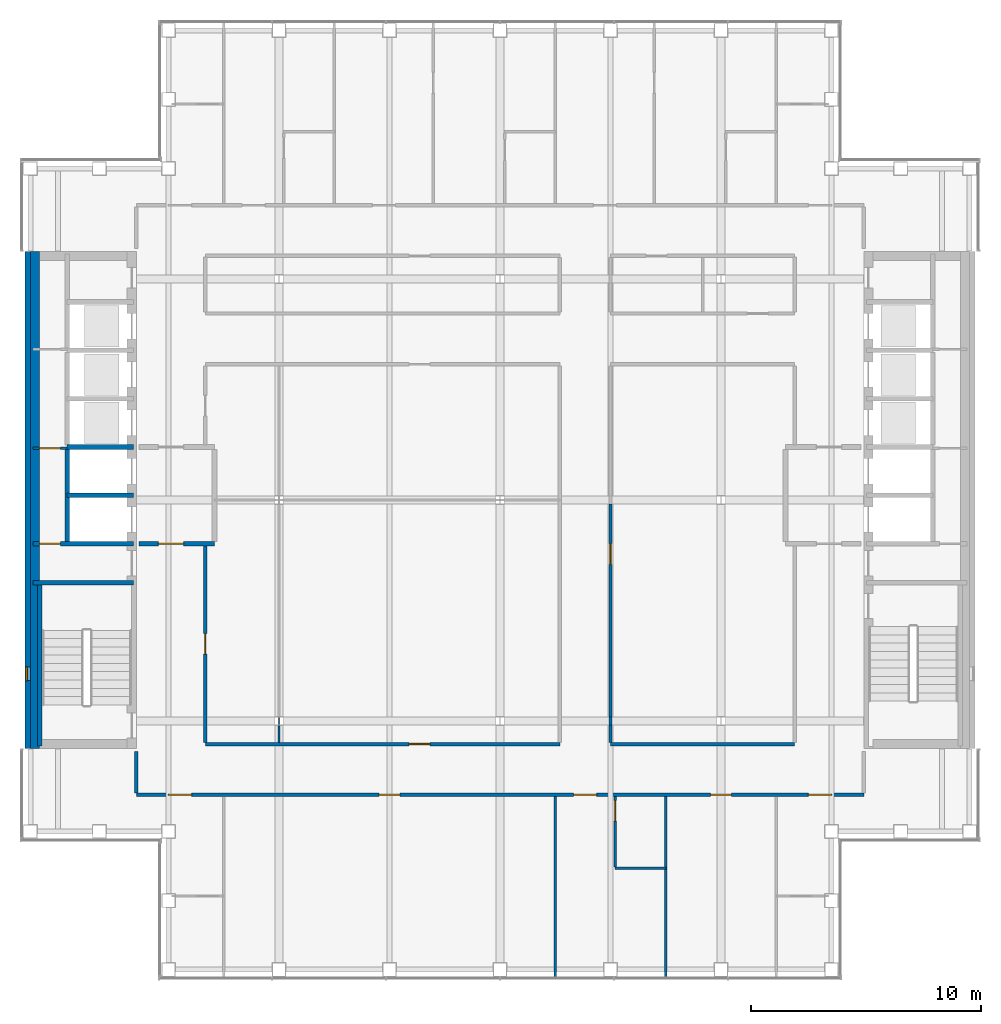
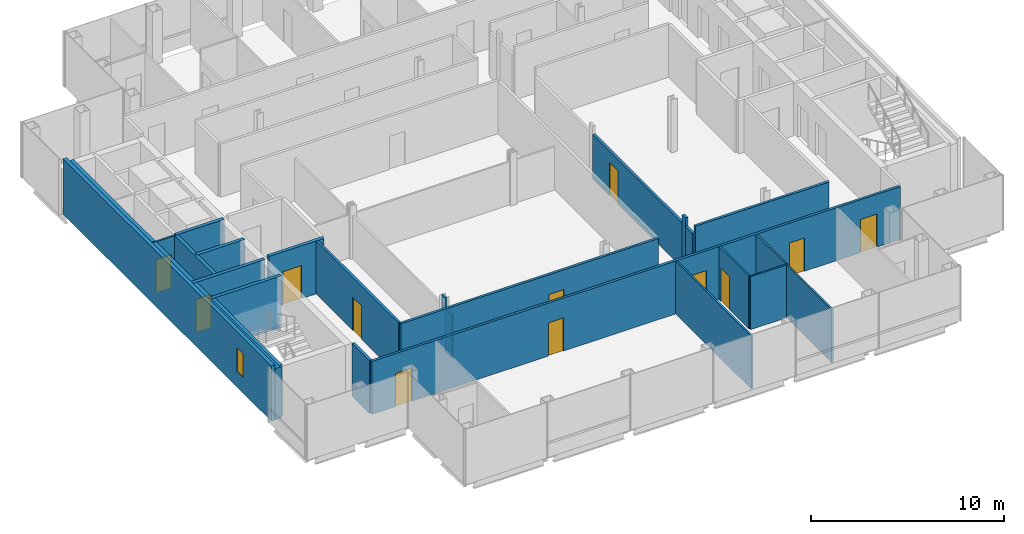
# One storey, part 10 of 15: 24 walls, 12 doors, 1 window, 13 openings.
"""IFC4 building model written with IfcOpenShell, lengths in metres."""

from ifc_helpers import new_model, si_unit, direction, frame, frame_2d, origin, place, context, subcontext, project, spatial, rectangle, extrude, material, layer, layer_set, type_object, element, fill, save


model = new_model("IFC4")

# Units and contexts
model_context = context("Model", 3, precision=1e-05, world=origin(), true_north=direction((0.0, 1.0)))
body_context = subcontext(model_context, "Body", "Model", "MODEL_VIEW")
ifc_project = project(units=[si_unit("LENGTHUNIT", "METRE"), si_unit("AREAUNIT", "SQUARE_METRE"), si_unit("VOLUMEUNIT", "CUBIC_METRE"), si_unit("PLANEANGLEUNIT", "RADIAN"), si_unit("MASSUNIT", "GRAM", prefix="KILO")], contexts=[model_context])

# Site, building, storey
site_placement = place(None, origin())
site = spatial("IfcSite", under=ifc_project, at=site_placement, CompositionType="ELEMENT")
building_placement = place(site_placement, origin())
building = spatial("IfcBuilding", under=site, at=building_placement, Name="Cobrizo Arcos Hotel Tower", CompositionType="ELEMENT")
storey_placement = place(building_placement, frame((0.0, 0.0, 251.5)))
storey = spatial("IfcBuildingStorey", under=building, at=storey_placement, Name="L66", CompositionType="ELEMENT", Elevation=251.5)

# Wall, openings, doors
ifc_material_1 = material(Name="Gypsum board partition")
ifc_layer_1 = layer(ifc_material_1, 0.14990234375)
ifc_layer_set_1 = layer_set([ifc_layer_1], Name="Corridor wall EI 60 150")
wall_type_1 = type_object("IfcWallType", Name="Corridor wall EI 60 150", PredefinedType="PARTITIONING", material=ifc_layer_set_1)
wall_1_placement = place(storey_placement, frame((-15.800048828125, -12.800048828125, 0.0), z_axis=(0.0, 0.0, 1.0), x_axis=(1.0, 0.0, 0.0)))
wall_1 = element("IfcWall", 1, at=wall_1_placement, inside=storey, type_object=wall_type_1, Name="Partition 004", PredefinedType="PARTITIONING", context=body_context, shape_type="SweptSolid", body=[
    extrude(rectangle(XDim=31.60009765625, YDim=0.14990234375, at=frame_2d((15.800048828125, 0.0))), origin(), (0.0, 0.0, 1.0), 3.35009765625),
])
opening_1_placement = place(wall_1_placement, frame((10.550048828125, 0.0, 0.0)))
opening_1 = element("IfcOpeningElement", 2, at=opening_1_placement, cuts=wall_1, Name="Opening RD-10", PredefinedType="OPENING", context=body_context, shape_type="SweptSolid", body=[
    extrude(rectangle(XDim=0.89990234375, YDim=2.10009765625, at=frame_2d((0.449951171875, 1.050048828125))), frame((0.0, 0.0869140625, 0.0), z_axis=(0.0, -1.0, 0.0), x_axis=(1.0, 0.0, 0.0)), (0.0, 0.0, 1.0), 0.173828125),
])
opening_2_placement = place(wall_1_placement, frame((19.0, 0.0, 0.0)))
opening_2 = element("IfcOpeningElement", 3, at=opening_2_placement, cuts=wall_1, Name="Opening GD-04", PredefinedType="OPENING", context=body_context, shape_type="SweptSolid", body=[
    extrude(rectangle(XDim=1.0, YDim=2.10009765625, at=frame_2d((0.5, 1.050048828125))), frame((0.0, 0.0869140625, 0.0), z_axis=(0.0, -1.0, 0.0), x_axis=(1.0, 0.0, 0.0)), (0.0, 0.0, 1.0), 0.173828125),
])
opening_3_placement = place(wall_1_placement, frame((24.949951171875, 0.0, 0.0)))
opening_3 = element("IfcOpeningElement", 4, at=opening_3_placement, cuts=wall_1, Name="Opening RD-11", PredefinedType="OPENING", context=body_context, shape_type="SweptSolid", body=[
    extrude(rectangle(XDim=0.89990234375, YDim=2.10009765625, at=frame_2d((0.449951171875, 1.050048828125))), frame((0.0, 0.0869140625, 0.0), z_axis=(0.0, -1.0, 0.0), x_axis=(1.0, 0.0, 0.0)), (0.0, 0.0, 1.0), 0.173828125),
])
opening_4_placement = place(wall_1_placement, frame((1.39990234375, 0.0, 0.0)))
opening_4 = element("IfcOpeningElement", 5, at=opening_4_placement, cuts=wall_1, Name="Opening GD-05", PredefinedType="OPENING", context=body_context, shape_type="SweptSolid", body=[
    extrude(rectangle(XDim=1.0, YDim=2.10009765625, at=frame_2d((0.5, 1.050048828125))), frame((0.0, 0.0869140625, 0.0), z_axis=(0.0, -1.0, 0.0), x_axis=(1.0, 0.0, 0.0)), (0.0, 0.0, 1.0), 0.173828125),
])
opening_5_placement = place(wall_1_placement, frame((29.199951171875, 0.0, 0.0)))
opening_5 = element("IfcOpeningElement", 6, at=opening_5_placement, cuts=wall_1, Name="Opening GD-07", PredefinedType="OPENING", context=body_context, shape_type="SweptSolid", body=[
    extrude(rectangle(XDim=1.0, YDim=2.10009765625, at=frame_2d((0.5, 1.050048828125))), frame((0.0, 0.0869140625, 0.0), z_axis=(0.0, -1.0, 0.0), x_axis=(1.0, 0.0, 0.0)), (0.0, 0.0, 1.0), 0.173828125),
])
ifc_material_2 = material(Name="Timber door leaf", Category="wood")
door_type_1 = type_object("IfcDoorType", Name="Guest room door FD30S 1000x2100", OperationType="SINGLE_SWING_LEFT", PredefinedType="DOOR", material=ifc_material_2)
door_1_placement = place(opening_2_placement, origin())
door_1 = element("IfcDoor", 7, at=door_1_placement, inside=storey, type_object=door_type_1, Name="Door GD-04", OperationType="SINGLE_SWING_RIGHT", OverallHeight=2.10009765625, OverallWidth=1.0, PredefinedType="DOOR", context=body_context, shape_type="SweptSolid", body=[
    extrude(rectangle(XDim=1.0, YDim=2.10009765625, at=frame_2d((0.5, 1.050048828125))), frame((0.0, 0.02490234375, 0.0), z_axis=(0.0, -1.0, 0.0), x_axis=(1.0, 0.0, 0.0)), (0.0, 0.0, 1.0), 0.050048828125),
])
fill(opening_2, door_1)
door_2_placement = place(opening_4_placement, origin())
door_2 = element("IfcDoor", 8, at=door_2_placement, inside=storey, type_object=door_type_1, Name="Door GD-05", OperationType="SINGLE_SWING_LEFT", OverallHeight=2.10009765625, OverallWidth=1.0, PredefinedType="DOOR", context=body_context, shape_type="SweptSolid", body=[
    extrude(rectangle(XDim=1.0, YDim=2.10009765625, at=frame_2d((0.5, 1.050048828125))), frame((0.0, 0.02490234375, 0.0), z_axis=(0.0, -1.0, 0.0), x_axis=(1.0, 0.0, 0.0)), (0.0, 0.0, 1.0), 0.050048828125),
])
fill(opening_4, door_2)
door_3_placement = place(opening_5_placement, origin())
door_3 = element("IfcDoor", 9, at=door_3_placement, inside=storey, type_object=door_type_1, Name="Door GD-07", OperationType="SINGLE_SWING_RIGHT", OverallHeight=2.10009765625, OverallWidth=1.0, PredefinedType="DOOR", context=body_context, shape_type="SweptSolid", body=[
    extrude(rectangle(XDim=1.0, YDim=2.10009765625, at=frame_2d((0.5, 1.050048828125))), frame((0.0, 0.02490234375, 0.0), z_axis=(0.0, -1.0, 0.0), x_axis=(1.0, 0.0, 0.0)), (0.0, 0.0, 1.0), 0.050048828125),
])
fill(opening_5, door_3)
door_type_2 = type_object("IfcDoorType", Name="Room door FD30 900x2100", OperationType="SINGLE_SWING_LEFT", PredefinedType="DOOR", material=ifc_material_2)
door_4_placement = place(opening_1_placement, origin())
door_4 = element("IfcDoor", 10, at=door_4_placement, inside=storey, type_object=door_type_2, Name="Door RD-10", OperationType="SINGLE_SWING_LEFT", OverallHeight=2.10009765625, OverallWidth=0.89990234375, PredefinedType="DOOR", context=body_context, shape_type="SweptSolid", body=[
    extrude(rectangle(XDim=0.89990234375, YDim=2.10009765625, at=frame_2d((0.449951171875, 1.050048828125))), frame((0.0, 0.02490234375, 0.0), z_axis=(0.0, -1.0, 0.0), x_axis=(1.0, 0.0, 0.0)), (0.0, 0.0, 1.0), 0.050048828125),
])
fill(opening_1, door_4)
door_5_placement = place(opening_3_placement, origin())
door_5 = element("IfcDoor", 11, at=door_5_placement, inside=storey, type_object=door_type_2, Name="Door RD-11", OperationType="SINGLE_SWING_LEFT", OverallHeight=2.10009765625, OverallWidth=0.89990234375, PredefinedType="DOOR", context=body_context, shape_type="SweptSolid", body=[
    extrude(rectangle(XDim=0.89990234375, YDim=2.10009765625, at=frame_2d((0.449951171875, 1.050048828125))), frame((0.0, 0.02490234375, 0.0), z_axis=(0.0, -1.0, 0.0), x_axis=(1.0, 0.0, 0.0)), (0.0, 0.0, 1.0), 0.050048828125),
])
fill(opening_3, door_5)

# Wall, opening, door
wall_2_placement = place(storey_placement, frame((-12.800048828125, -10.60009765625, 0.0), z_axis=(0.0, 0.0, 1.0), x_axis=(1.0, 0.0, 0.0)))
wall_2 = element("IfcWall", 12, at=wall_2_placement, inside=storey, type_object=wall_type_1, Name="Partition 005", PredefinedType="PARTITIONING", context=body_context, shape_type="SweptSolid", body=[
    extrude(rectangle(XDim=15.400146484375, YDim=0.14990234375, at=frame_2d((7.7001953125, 0.0))), origin(), (0.0, 0.0, 1.0), 3.35009765625),
])
opening_6_placement = place(wall_2_placement, frame((8.85009765625, 0.0, 0.0)))
opening_6 = element("IfcOpeningElement", 13, at=opening_6_placement, cuts=wall_2, Name="Opening RD-16", PredefinedType="OPENING", context=body_context, shape_type="SweptSolid", body=[
    extrude(rectangle(XDim=0.89990234375, YDim=2.10009765625, at=frame_2d((0.449951171875, 1.050048828125))), frame((0.0, 0.0869140625, 0.0), z_axis=(0.0, -1.0, 0.0), x_axis=(1.0, 0.0, 0.0)), (0.0, 0.0, 1.0), 0.173828125),
])
door_6_placement = place(opening_6_placement, origin())
door_6 = element("IfcDoor", 14, at=door_6_placement, inside=storey, type_object=door_type_2, Name="Door RD-16", OperationType="SINGLE_SWING_LEFT", OverallHeight=2.10009765625, OverallWidth=0.89990234375, PredefinedType="DOOR", context=body_context, shape_type="SweptSolid", body=[
    extrude(rectangle(XDim=0.89990234375, YDim=2.10009765625, at=frame_2d((0.449951171875, 1.050048828125))), frame((0.0, 0.02490234375, 0.0), z_axis=(0.0, -1.0, 0.0), x_axis=(1.0, 0.0, 0.0)), (0.0, 0.0, 1.0), 0.050048828125),
])
fill(opening_6, door_6)

# Walls
wall_3_placement = place(storey_placement, frame((4.800048828125, -10.60009765625, 0.0), z_axis=(0.0, 0.0, 1.0), x_axis=(1.0, 0.0, 0.0)))
element("IfcWall", 15, at=wall_3_placement, inside=storey, type_object=wall_type_1, Name="Partition 006", PredefinedType="PARTITIONING", context=body_context, shape_type="SweptSolid", body=[
    extrude(rectangle(XDim=8.0, YDim=0.14990234375, at=frame_2d((4.0, 0.0))), origin(), (0.0, 0.0, 1.0), 3.35009765625),
])
wall_4_placement = place(storey_placement, frame((-15.800048828125, -12.72509765625, 0.0), z_axis=(0.0, 0.0, 1.0), x_axis=(0.0, 1.0, 0.0)))
element("IfcWall", 16, at=wall_4_placement, inside=storey, type_object=wall_type_1, Name="Partition 050", PredefinedType="PARTITIONING", context=body_context, shape_type="SweptSolid", body=[
    extrude(rectangle(XDim=1.80517578125, YDim=0.14990234375, at=frame_2d((0.902587890625, 0.0))), origin(), (0.0, 0.0, 1.0), 3.35009765625),
])

# Wall, opening, door
wall_5_placement = place(storey_placement, frame((-12.800048828125, -10.52490234375, 0.0), z_axis=(0.0, 0.0, 1.0), x_axis=(0.0, 1.0, 0.0)))
wall_5 = element("IfcWall", 17, at=wall_5_placement, inside=storey, type_object=wall_type_1, Name="Partition 052", PredefinedType="PARTITIONING", context=body_context, shape_type="SweptSolid", body=[
    extrude(rectangle(XDim=8.52490234375, YDim=0.14990234375, at=frame_2d((4.262451171875, 0.0))), origin(), (0.0, 0.0, 1.0), 3.35009765625),
])
opening_7_placement = place(wall_5_placement, frame((3.824951171875, 0.0, 0.0)))
opening_7 = element("IfcOpeningElement", 18, at=opening_7_placement, cuts=wall_5, Name="Opening RD-13", PredefinedType="OPENING", context=body_context, shape_type="SweptSolid", body=[
    extrude(rectangle(XDim=0.89990234375, YDim=2.10009765625, at=frame_2d((0.449951171875, 1.050048828125))), frame((0.0, 0.0869140625, 0.0), z_axis=(0.0, -1.0, 0.0), x_axis=(1.0, 0.0, 0.0)), (0.0, 0.0, 1.0), 0.173828125),
])
door_7_placement = place(opening_7_placement, origin())
door_7 = element("IfcDoor", 19, at=door_7_placement, inside=storey, type_object=door_type_2, Name="Door RD-13", OperationType="SINGLE_SWING_LEFT", OverallHeight=2.10009765625, OverallWidth=0.89990234375, PredefinedType="DOOR", context=body_context, shape_type="SweptSolid", body=[
    extrude(rectangle(XDim=0.89990234375, YDim=2.10009765625, at=frame_2d((0.449951171875, 1.050048828125))), frame((0.0, 0.02490234375, 0.0), z_axis=(0.0, -1.0, 0.0), x_axis=(1.0, 0.0, 0.0)), (0.0, 0.0, 1.0), 0.050048828125),
])
fill(opening_7, door_7)

# Walls
wall_6_placement = place(storey_placement, frame((4.800048828125, -10.52490234375, 0.0), z_axis=(0.0, 0.0, 1.0), x_axis=(0.0, 1.0, 0.0)))
element("IfcWall", 20, at=wall_6_placement, inside=storey, type_object=wall_type_1, Name="Partition 070", PredefinedType="PARTITIONING", context=body_context, shape_type="SweptSolid", body=[
    extrude(rectangle(XDim=0.760986328125, YDim=0.14990234375, at=frame_2d((0.38037109375, 0.0))), origin(), (0.0, 0.0, 1.0), 2.81689453125),
])
wall_7_placement = place(storey_placement, frame((4.800048828125, -9.763916015625, 0.0), z_axis=(0.0, 0.0, 1.0), x_axis=(0.0, 1.0, 0.0)))
element("IfcWall", 21, at=wall_7_placement, inside=storey, type_object=wall_type_1, Name="Partition 071", PredefinedType="PARTITIONING", context=body_context, shape_type="SweptSolid", body=[
    extrude(rectangle(XDim=0.327880859375, YDim=0.14990234375, at=frame_2d((0.1640625, 0.0))), origin(), (0.0, 0.0, 1.0), 3.35009765625),
])

# Wall, opening, door
wall_8_placement = place(storey_placement, frame((4.800048828125, -9.43603515625, 0.0), z_axis=(0.0, 0.0, 1.0), x_axis=(0.0, 1.0, 0.0)))
wall_8 = element("IfcWall", 22, at=wall_8_placement, inside=storey, type_object=wall_type_1, Name="Partition 072", PredefinedType="PARTITIONING", context=body_context, shape_type="SweptSolid", body=[
    extrude(rectangle(XDim=9.27197265625, YDim=0.14990234375, at=frame_2d((4.635986328125, 0.0))), origin(), (0.0, 0.0, 1.0), 2.81689453125),
])
opening_8_placement = place(wall_8_placement, frame((6.635986328125, 0.0, 0.0)))
opening_8 = element("IfcOpeningElement", 23, at=opening_8_placement, cuts=wall_8, Name="Opening RD-17", PredefinedType="OPENING", context=body_context, shape_type="SweptSolid", body=[
    extrude(rectangle(XDim=0.89990234375, YDim=2.10009765625, at=frame_2d((0.449951171875, 1.050048828125))), frame((0.0, 0.0869140625, 0.0), z_axis=(0.0, -1.0, 0.0), x_axis=(1.0, 0.0, 0.0)), (0.0, 0.0, 1.0), 0.173828125),
])
door_8_placement = place(opening_8_placement, origin())
door_8 = element("IfcDoor", 24, at=door_8_placement, inside=storey, type_object=door_type_2, Name="Door RD-17", OperationType="SINGLE_SWING_RIGHT", OverallHeight=2.10009765625, OverallWidth=0.89990234375, PredefinedType="DOOR", context=body_context, shape_type="SweptSolid", body=[
    extrude(rectangle(XDim=0.89990234375, YDim=2.10009765625, at=frame_2d((0.449951171875, 1.050048828125))), frame((0.0, 0.02490234375, 0.0), z_axis=(0.0, -1.0, 0.0), x_axis=(1.0, 0.0, 0.0)), (0.0, 0.0, 1.0), 0.050048828125),
])
fill(opening_8, door_8)

# Wall, opening, window
ifc_material_3 = material(Name="Aluminium composite panel pale metal", Category="aluminium")
ifc_layer_2 = layer(ifc_material_3, 0.22509765625)
ifc_layer_set_2 = layer_set([ifc_layer_2], Name="EW-1 insulated panel wall 225")
wall_type_2 = type_object("IfcWallType", Name="EW-1 insulated panel wall 225", PredefinedType="SOLIDWALL", material=ifc_layer_set_2)
wall_9_placement = place(storey_placement, frame((-20.512451171875, 10.800048828125, 0.0), z_axis=(0.0, 0.0, 1.0), x_axis=(0.0, -1.0, 0.0)))
wall_9 = element("IfcWall", 25, at=wall_9_placement, inside=storey, type_object=wall_type_2, Name="Core face wall L66 W", PredefinedType="SOLIDWALL", context=body_context, shape_type="SweptSolid", body=[
    extrude(rectangle(XDim=21.60009765625, YDim=0.22509765625, at=frame_2d((10.800048828125, 0.0))), origin(), (0.0, 0.0, 1.0), 3.5),
])
opening_9_placement = place(wall_9_placement, frame((18.050048828125, 0.0, 1.0)))
opening_9 = element("IfcOpeningElement", 26, at=opening_9_placement, cuts=wall_9, Name="Opening W-152", PredefinedType="OPENING", context=body_context, shape_type="SweptSolid", body=[
    extrude(rectangle(XDim=0.60009765625, YDim=1.5, at=frame_2d((0.300048828125, 0.75))), frame((0.0, 0.12451171875, 0.0), z_axis=(0.0, -1.0, 0.0), x_axis=(1.0, 0.0, 0.0)), (0.0, 0.0, 1.0), 0.2490234375),
])
ifc_material_4 = material(Name="Aluminium 6063-T6 and clear laminated glass", Category="aluminium")
window_type = type_object("IfcWindowType", Name="W-C1 core stair slot window 600x1500", PartitioningType="SINGLE_PANEL", PredefinedType="WINDOW", material=ifc_material_4)
window_placement = place(opening_9_placement, origin())
window = element("IfcWindow", 27, at=window_placement, inside=storey, type_object=window_type, Name="Core face wall L66 W window W-152", OverallHeight=1.5, OverallWidth=0.60009765625, PartitioningType="SINGLE_PANEL", PredefinedType="WINDOW", context=body_context, shape_type="SweptSolid", body=[
    extrude(rectangle(XDim=0.60009765625, YDim=1.5, at=frame_2d((0.300048828125, 0.75))), frame((0.0, -0.0224609375, 0.0), z_axis=(0.0, -1.0, 0.0), x_axis=(1.0, 0.0, 0.0)), (0.0, 0.0, 1.0), 0.06005859375),
])
fill(opening_9, window)

# Wall
ifc_layer_3 = layer(ifc_material_1, 0.10009765625)
ifc_layer_set_3 = layer_set([ifc_layer_3], Name="Partition EI 30 100")
wall_type_3 = type_object("IfcWallType", Name="Partition EI 30 100", PredefinedType="PARTITIONING", material=ifc_layer_set_3)
wall_10_placement = place(storey_placement, frame((5.0, -16.0, 0.0), z_axis=(0.0, 0.0, 1.0), x_axis=(1.0, 0.0, 0.0)))
element("IfcWall", 28, at=wall_10_placement, inside=storey, type_object=wall_type_3, Name="Partition 003", PredefinedType="PARTITIONING", context=body_context, shape_type="SweptSolid", body=[
    extrude(rectangle(XDim=2.199951171875, YDim=0.10009765625, at=frame_2d((1.10009765625, 0.0))), origin(), (0.0, 0.0, 1.0), 3.35009765625),
])

# Wall, opening, door
wall_11_placement = place(storey_placement, frame((-20.280029296875, 2.25, 0.0), z_axis=(0.0, 0.0, 1.0), x_axis=(1.0, 0.0, 0.0)))
wall_11 = element("IfcWall", 29, at=wall_11_placement, inside=storey, type_object=wall_type_3, Name="Partition 020", PredefinedType="PARTITIONING", context=body_context, shape_type="SweptSolid", body=[
    extrude(rectangle(XDim=1.47998046875, YDim=0.10009765625, at=frame_2d((0.739990234375, 0.0))), origin(), (0.0, 0.0, 1.0), 3.25),
])
opening_10_placement = place(wall_11_placement, frame((0.280029296875, 0.0, 0.0)))
opening_10 = element("IfcOpeningElement", 30, at=opening_10_placement, cuts=wall_11, Name="Opening RD-02", PredefinedType="OPENING", context=body_context, shape_type="SweptSolid", body=[
    extrude(rectangle(XDim=0.89990234375, YDim=2.10009765625, at=frame_2d((0.449951171875, 1.050048828125))), frame((0.0, 0.06201171875, 0.0), z_axis=(0.0, -1.0, 0.0), x_axis=(1.0, 0.0, 0.0)), (0.0, 0.0, 1.0), 0.1240234375),
])
door_9_placement = place(opening_10_placement, origin())
door_9 = element("IfcDoor", 31, at=door_9_placement, inside=storey, type_object=door_type_2, Name="Door RD-02", OperationType="SINGLE_SWING_LEFT", OverallHeight=2.10009765625, OverallWidth=0.89990234375, PredefinedType="DOOR", context=body_context, shape_type="SweptSolid", body=[
    extrude(rectangle(XDim=0.89990234375, YDim=2.10009765625, at=frame_2d((0.449951171875, 1.050048828125))), frame((0.0, 0.02490234375, 0.0), z_axis=(0.0, -1.0, 0.0), x_axis=(1.0, 0.0, 0.0)), (0.0, 0.0, 1.0), 0.050048828125),
])
fill(opening_10, door_9)

# Walls
wall_12_placement = place(storey_placement, frame((-9.60009765625, -10.52490234375, 0.0), z_axis=(0.0, 0.0, 1.0), x_axis=(0.0, 1.0, 0.0)))
element("IfcWall", 32, at=wall_12_placement, inside=storey, type_object=wall_type_3, Name="Partition 058", PredefinedType="PARTITIONING", context=body_context, shape_type="SweptSolid", body=[
    extrude(rectangle(XDim=0.740966796875, YDim=0.10009765625, at=frame_2d((0.37060546875, 0.0))), origin(), (0.0, 0.0, 1.0), 2.72802734375),
])
wall_13_placement = place(storey_placement, frame((-9.60009765625, -9.783935546875, 0.0), z_axis=(0.0, 0.0, 1.0), x_axis=(0.0, 1.0, 0.0)))
element("IfcWall", 33, at=wall_13_placement, inside=storey, type_object=wall_type_3, Name="Partition 059", PredefinedType="PARTITIONING", context=body_context, shape_type="SweptSolid", body=[
    extrude(rectangle(XDim=0.367919921875, YDim=0.10009765625, at=frame_2d((0.18408203125, 0.0))), origin(), (0.0, 0.0, 1.0), 3.35009765625),
])
wall_14_placement = place(storey_placement, frame((2.39990234375, -20.72998046875, 0.0), z_axis=(0.0, 0.0, 1.0), x_axis=(0.0, 1.0, 0.0)))
element("IfcWall", 34, at=wall_14_placement, inside=storey, type_object=wall_type_3, Name="Partition 066", PredefinedType="PARTITIONING", context=body_context, shape_type="SweptSolid", body=[
    extrude(rectangle(XDim=7.85498046875, YDim=0.10009765625, at=frame_2d((3.927490234375, 0.0))), origin(), (0.0, 0.0, 1.0), 3.35009765625),
])

# Wall, opening, door
wall_15_placement = place(storey_placement, frame((5.0, -15.949951171875, 0.0), z_axis=(0.0, 0.0, 1.0), x_axis=(0.0, 1.0, 0.0)))
wall_15 = element("IfcWall", 35, at=wall_15_placement, inside=storey, type_object=wall_type_3, Name="Partition 078", PredefinedType="PARTITIONING", context=body_context, shape_type="SweptSolid", body=[
    extrude(rectangle(XDim=3.074951171875, YDim=0.10009765625, at=frame_2d((1.53759765625, 0.0))), origin(), (0.0, 0.0, 1.0), 3.35009765625),
])
opening_11_placement = place(wall_15_placement, frame((1.99609375, 0.0, 0.0)))
opening_11 = element("IfcOpeningElement", 36, at=opening_11_placement, cuts=wall_15, Name="Opening ED-05", PredefinedType="OPENING", context=body_context, shape_type="SweptSolid", body=[
    extrude(rectangle(XDim=0.89990234375, YDim=2.10009765625, at=frame_2d((0.449951171875, 1.050048828125))), frame((0.0, 0.06201171875, 0.0), z_axis=(0.0, -1.0, 0.0), x_axis=(1.0, 0.0, 0.0)), (0.0, 0.0, 1.0), 0.1240234375),
])
door_type_3 = type_object("IfcDoorType", Name="En-suite door 900x2100", OperationType="SINGLE_SWING_LEFT", PredefinedType="DOOR", material=ifc_material_2)
door_10_placement = place(opening_11_placement, origin())
door_10 = element("IfcDoor", 37, at=door_10_placement, inside=storey, type_object=door_type_3, Name="Door ED-05", OperationType="SINGLE_SWING_LEFT", OverallHeight=2.10009765625, OverallWidth=0.89990234375, PredefinedType="DOOR", context=body_context, shape_type="SweptSolid", body=[
    extrude(rectangle(XDim=0.89990234375, YDim=2.10009765625, at=frame_2d((0.449951171875, 1.050048828125))), frame((0.0, 0.02490234375, 0.0), z_axis=(0.0, -1.0, 0.0), x_axis=(1.0, 0.0, 0.0)), (0.0, 0.0, 1.0), 0.050048828125),
])
fill(opening_11, door_10)

# Walls
wall_16_placement = place(storey_placement, frame((7.199951171875, -20.72998046875, 0.0), z_axis=(0.0, 0.0, 1.0), x_axis=(0.0, 1.0, 0.0)))
element("IfcWall", 38, at=wall_16_placement, inside=storey, type_object=wall_type_3, Name="Partition 080", PredefinedType="PARTITIONING", context=body_context, shape_type="SweptSolid", body=[
    extrude(rectangle(XDim=7.85498046875, YDim=0.10009765625, at=frame_2d((3.927490234375, 0.0))), origin(), (0.0, 0.0, 1.0), 3.35009765625),
])
ifc_material_5 = material(Name="Concrete f'c 40 MPa", Category="concrete")
ifc_layer_4 = layer(ifc_material_5, 0.39990234375)
ifc_layer_set_4 = layer_set([ifc_layer_4], Name="RC core wall 400 f'c 40")
wall_type_4 = type_object("IfcWallType", Name="RC core wall 400 f'c 40", PredefinedType="SHEAR", material=ifc_layer_set_4)
wall_17_placement = place(storey_placement, frame((-20.199951171875, -10.800048828125, 0.0), z_axis=(0.0, 0.0, 1.0), x_axis=(0.0, 1.0, 0.0)))
element("IfcWall", 39, at=wall_17_placement, inside=storey, type_object=wall_type_4, Name="Core wall CW4, west core, outer face, L66", PredefinedType="SHEAR", context=body_context, shape_type="SweptSolid", body=[
    extrude(rectangle(XDim=21.60009765625, YDim=0.39990234375, at=frame_2d((10.800048828125, 0.0))), origin(), (0.0, 0.0, 1.0), 3.25),
])

# Wall, opening, door
ifc_layer_5 = layer(ifc_material_1, 0.199951171875)
ifc_layer_set_5 = layer_set([ifc_layer_5], Name="Shaft wall EI 120 200")
wall_type_5 = type_object("IfcWallType", Name="Shaft wall EI 120 200", PredefinedType="PARTITIONING", material=ifc_layer_set_5)
wall_18_placement = place(storey_placement, frame((-20.280029296875, -1.89990234375, 0.0), z_axis=(0.0, 0.0, 1.0), x_axis=(1.0, 0.0, 0.0)))
wall_18 = element("IfcWall", 40, at=wall_18_placement, inside=storey, type_object=wall_type_5, Name="Partition 009", PredefinedType="PARTITIONING", context=body_context, shape_type="SweptSolid", body=[
    extrude(rectangle(XDim=4.360107421875, YDim=0.199951171875, at=frame_2d((2.18017578125, 0.0))), origin(), (0.0, 0.0, 1.0), 3.25),
])
opening_12_placement = place(wall_18_placement, frame((0.280029296875, 0.0, 0.0)))
opening_12 = element("IfcOpeningElement", 41, at=opening_12_placement, cuts=wall_18, Name="Opening RD-01", PredefinedType="OPENING", context=body_context, shape_type="SweptSolid", body=[
    extrude(rectangle(XDim=0.89990234375, YDim=2.10009765625, at=frame_2d((0.449951171875, 1.050048828125))), frame((0.0, 0.112060546875, 0.0), z_axis=(0.0, -1.0, 0.0), x_axis=(1.0, 0.0, 0.0)), (0.0, 0.0, 1.0), 0.223876953125),
])
door_11_placement = place(opening_12_placement, origin())
door_11 = element("IfcDoor", 42, at=door_11_placement, inside=storey, type_object=door_type_2, Name="Door RD-01", OperationType="SINGLE_SWING_LEFT", OverallHeight=2.10009765625, OverallWidth=0.89990234375, PredefinedType="DOOR", context=body_context, shape_type="SweptSolid", body=[
    extrude(rectangle(XDim=0.89990234375, YDim=2.10009765625, at=frame_2d((0.449951171875, 1.050048828125))), frame((0.0, 0.02490234375, 0.0), z_axis=(0.0, -1.0, 0.0), x_axis=(1.0, 0.0, 0.0)), (0.0, 0.0, 1.0), 0.050048828125),
])
fill(opening_12, door_11)

wall_19_placement = place(storey_placement, frame((-15.679931640625, -1.89990234375, 0.0), z_axis=(0.0, 0.0, 1.0), x_axis=(1.0, 0.0, 0.0)))
wall_19 = element("IfcWall", 43, at=wall_19_placement, inside=storey, type_object=wall_type_5, Name="Partition 010", PredefinedType="PARTITIONING", context=body_context, shape_type="SweptSolid", body=[
    extrude(rectangle(XDim=3.280029296875, YDim=0.199951171875, at=frame_2d((1.64013671875, 0.0))), origin(), (0.0, 0.0, 1.0), 3.35009765625),
])
opening_13_placement = place(wall_19_placement, frame((0.840087890625, 0.0, 0.0)))
opening_13 = element("IfcOpeningElement", 44, at=opening_13_placement, cuts=wall_19, Name="Opening FD-03", PredefinedType="OPENING", context=body_context, shape_type="SweptSolid", body=[
    extrude(rectangle(XDim=1.10009765625, YDim=2.10009765625, at=frame_2d((0.550048828125, 1.050048828125))), frame((0.0, 0.112060546875, 0.0), z_axis=(0.0, -1.0, 0.0), x_axis=(1.0, 0.0, 0.0)), (0.0, 0.0, 1.0), 0.223876953125),
])
ifc_material_6 = material(Name="Steel door leaf", Category="steel")
door_type_4 = type_object("IfcDoorType", Name="Fire door FD60 1100x2100", OperationType="SINGLE_SWING_LEFT", PredefinedType="DOOR", material=ifc_material_6)
door_12_placement = place(opening_13_placement, origin())
door_12 = element("IfcDoor", 45, at=door_12_placement, inside=storey, type_object=door_type_4, Name="Door FD-03", OperationType="SINGLE_SWING_LEFT", OverallHeight=2.10009765625, OverallWidth=1.10009765625, PredefinedType="DOOR", context=body_context, shape_type="SweptSolid", body=[
    extrude(rectangle(XDim=1.10009765625, YDim=2.10009765625, at=frame_2d((0.550048828125, 1.050048828125))), frame((0.0, 0.02490234375, 0.0), z_axis=(0.0, -1.0, 0.0), x_axis=(1.0, 0.0, 0.0)), (0.0, 0.0, 1.0), 0.050048828125),
])
fill(opening_13, door_12)

# Walls
for number, where, z_axis, x_axis, name in (
    (46, (-18.800048828125, 0.199951171875, 0.0), (0.0, 0.0, 1.0), (1.0, 0.0, 0.0), "Partition 018"),
    (47, (-18.800048828125, 2.300048828125, 0.0), (0.0, 0.0, 1.0), (1.0, 0.0, 0.0), "Partition 022"),
):
    element("IfcWall", number, at=place(storey_placement, frame(where, z_axis=z_axis, x_axis=x_axis)), inside=storey, type_object=wall_type_5, Name=name, PredefinedType="PARTITIONING", context=body_context, shape_type="SweptSolid", body=[
        extrude(rectangle(XDim=2.880126953125, YDim=0.199951171875, at=frame_2d((1.43994140625, 0.0))), origin(), (0.0, 0.0, 1.0), 3.25),
    ])
wall_20_placement = place(storey_placement, frame((-18.800048828125, -1.800048828125, 0.0), z_axis=(0.0, 0.0, 1.0), x_axis=(0.0, 1.0, 0.0)))
element("IfcWall", 48, at=wall_20_placement, inside=storey, type_object=wall_type_5, Name="Partition 047", PredefinedType="PARTITIONING", context=body_context, shape_type="SweptSolid", body=[
    extrude(rectangle(XDim=4.0, YDim=0.199951171875, at=frame_2d((2.0, 0.0))), origin(), (0.0, 0.0, 1.0), 3.25),
])
ifc_layer_6 = layer(ifc_material_5, 0.199951171875)
ifc_layer_set_6 = layer_set([ifc_layer_6], Name="Stair shaft wall 200")
wall_type_6 = type_object("IfcWallType", Name="Stair shaft wall 200", PredefinedType="SHEAR", material=ifc_layer_set_6)
wall_21_placement = place(storey_placement, frame((-20.280029296875, -3.60009765625, 0.0), z_axis=(0.0, 0.0, 1.0), x_axis=(1.0, 0.0, 0.0)))
element("IfcWall", 49, at=wall_21_placement, inside=storey, type_object=wall_type_6, Name="Stair shaft wall W", PredefinedType="SHEAR", context=body_context, shape_type="SweptSolid", body=[
    extrude(rectangle(XDim=4.360107421875, YDim=0.199951171875, at=frame_2d((2.18017578125, 0.0))), origin(), (0.0, 0.0, 1.0), 3.25),
])
wall_22_placement = place(storey_placement, frame((-20.0, -10.679931640625, 0.0), z_axis=(0.0, 0.0, 1.0), x_axis=(0.0, 1.0, 0.0)))
element("IfcWall", 50, at=wall_22_placement, inside=storey, type_object=wall_type_6, Name="Stair shaft wall W", PredefinedType="SHEAR", context=body_context, shape_type="SweptSolid", body=[
    extrude(rectangle(XDim=6.97998046875, YDim=0.199951171875, at=frame_2d((3.489990234375, 0.0))), origin(), (0.0, 0.0, 1.0), 3.25),
])

save(model, "model.ifc")
